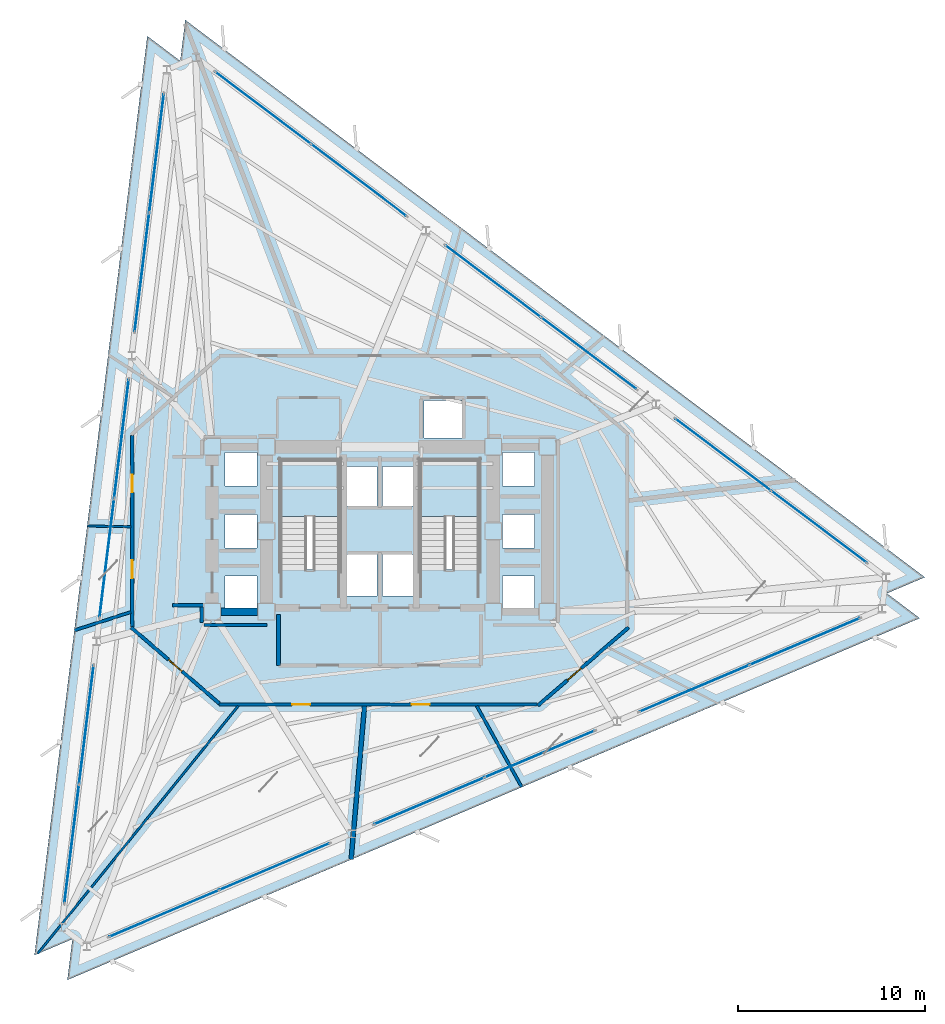
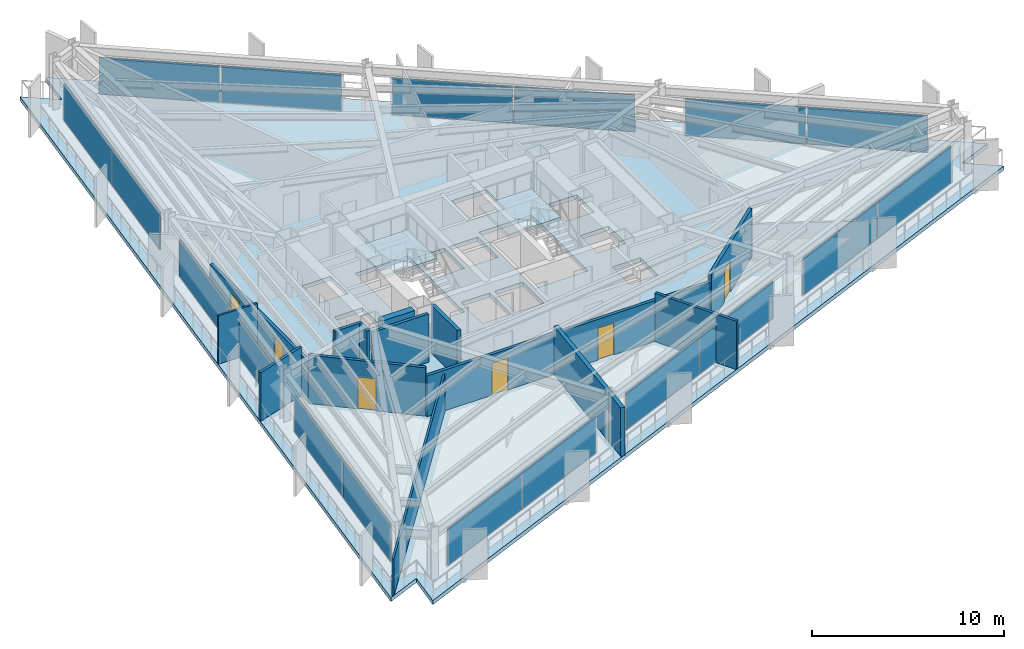
# One storey, part 6 of 13: 18 plates, 14 walls, 6 doors, 3 slabs, 6 openings, 11 elements without a shape of their own.
"""IFC4 building model written with IfcOpenShell, lengths in metres."""

from ifc_helpers import new_model, si_unit, direction, frame, frame_2d, origin, origin_2d, place, context, subcontext, project, spatial, polyline, rectangle, outline, extrude, material, layer, layer_set, type_object, element, fill, aggregate, save


model = new_model("IFC4")

# Units and contexts
model_context = context("Model", 3, precision=1e-05, world=origin(), true_north=direction((0.0, 1.0)))
body_context = subcontext(model_context, "Body", "Model", "MODEL_VIEW")
ifc_project = project(units=[si_unit("LENGTHUNIT", "METRE"), si_unit("AREAUNIT", "SQUARE_METRE"), si_unit("VOLUMEUNIT", "CUBIC_METRE"), si_unit("PLANEANGLEUNIT", "RADIAN"), si_unit("MASSUNIT", "GRAM", prefix="KILO")], contexts=[model_context])

# Site, building, storey
site_placement = place(None, origin())
site = spatial("IfcSite", under=ifc_project, at=site_placement, CompositionType="ELEMENT")
building_placement = place(site_placement, origin())
building = spatial("IfcBuilding", under=site, at=building_placement, Name="Rocaltana Carrier Exchange", CompositionType="ELEMENT")
storey_placement = place(building_placement, frame((0.0, 0.0, 66.39990234375)))
storey = spatial("IfcBuildingStorey", under=building, at=storey_placement, Name="L20", CompositionType="ELEMENT", Elevation=66.39990234375)

# Curtain wall, plates
ifc_material_1 = material(Name="Aluminium 6063-T6", Category="aluminium")
ifc_layer_1 = layer(ifc_material_1, 0.1650390625)
ifc_layer_set_1 = layer_set([ifc_layer_1], Name="Aluminium 6063-T6")
curtain_wall_type = type_object("IfcCurtainWallType", Name="Lower-Mid Stepped Curtain Wall CW-02", PredefinedType="NOTDEFINED", material=ifc_layer_set_1)
curtain_wall_1_placement = place(storey_placement, origin())
curtain_wall_1 = element("IfcCurtainWall", 1, at=curtain_wall_1_placement, inside=storey, type_object=curtain_wall_type, Name="L20 CW-02 Run CW-L20-F1S1", PredefinedType="NOTDEFINED")
ifc_material_2 = material(Name="Tempered Laminated Glass", Category="glass")
ifc_layer_2 = layer(ifc_material_2, 0.0419921875)
ifc_layer_set_2 = layer_set([ifc_layer_2], Name="Tempered Laminated Glass")
plate_type = type_object("IfcPlateType", Name="CW-02 Stone-Insulated Vision Panel", PredefinedType="CURTAIN_PANEL", material=ifc_layer_set_2)
plate_1_placement = place(storey_placement, frame((23.422607421875, 0.231201171875, 0.06494140625), z_axis=(0.0, 0.0, 1.0), x_axis=(-0.798641886792, 0.601806560833, 0.0)))
plate_1 = element("IfcPlate", 2, at=plate_1_placement, type_object=plate_type, Name="CW-02 panel 1.1", PredefinedType="CURTAIN_PANEL", context=body_context, shape_type="SweptSolid", body=[
    extrude(rectangle(XDim=6.335693359375, YDim=0.0419921875, at=origin_2d()), origin(), (0.0, 0.0, 1.0), 2.347900390625),
])
plate_2_placement = place(storey_placement, frame((18.310791015625, 4.083251953125, 0.06494140625), z_axis=(0.0, 0.0, 1.0), x_axis=(-0.798641886792, 0.601806560833, 0.0)))
plate_2 = element("IfcPlate", 3, at=plate_2_placement, type_object=plate_type, Name="CW-02 panel 2.1", PredefinedType="CURTAIN_PANEL", context=body_context, shape_type="SweptSolid", body=[
    extrude(rectangle(XDim=6.335693359375, YDim=0.0419921875, at=origin_2d()), origin(), (0.0, 0.0, 1.0), 2.347900390625),
])
aggregate(curtain_wall_1, [plate_1, plate_2])

curtain_wall_2_placement = place(storey_placement, origin())
curtain_wall_2 = element("IfcCurtainWall", 4, at=curtain_wall_2_placement, inside=storey, type_object=curtain_wall_type, Name="L20 CW-02 Run CW-L20-F1S2", PredefinedType="NOTDEFINED")
plate_3_placement = place(storey_placement, frame((11.150390625, 9.47900390625, 0.06494140625), z_axis=(0.0, 0.0, 1.0), x_axis=(-0.798635336443, 0.601815253533, 0.0)))
plate_3 = element("IfcPlate", 5, at=plate_3_placement, type_object=plate_type, Name="CW-02 panel 1.1", PredefinedType="CURTAIN_PANEL", context=body_context, shape_type="SweptSolid", body=[
    extrude(rectangle(XDim=6.335693359375, YDim=0.0419921875, at=origin_2d()), origin(), (0.0, 0.0, 1.0), 2.347900390625),
])
plate_4_placement = place(storey_placement, frame((6.038330078125, 13.3310546875, 0.06494140625), z_axis=(0.0, 0.0, 1.0), x_axis=(-0.798635336443, 0.601815253533, 0.0)))
plate_4 = element("IfcPlate", 6, at=plate_4_placement, type_object=plate_type, Name="CW-02 panel 2.1", PredefinedType="CURTAIN_PANEL", context=body_context, shape_type="SweptSolid", body=[
    extrude(rectangle(XDim=6.335693359375, YDim=0.0419921875, at=origin_2d()), origin(), (0.0, 0.0, 1.0), 2.347900390625),
])
aggregate(curtain_wall_2, [plate_3, plate_4])

curtain_wall_3_placement = place(storey_placement, origin())
curtain_wall_3 = element("IfcCurtainWall", 7, at=curtain_wall_3_placement, inside=storey, type_object=curtain_wall_type, Name="L20 CW-02 Run CW-L20-F1S3", PredefinedType="NOTDEFINED")
plate_5_placement = place(storey_placement, frame((-1.1220703125, 18.726806640625, 0.06494140625), z_axis=(0.0, 0.0, 1.0), x_axis=(-0.79863815132, 0.601811518049, 0.0)))
plate_5 = element("IfcPlate", 8, at=plate_5_placement, type_object=plate_type, Name="CW-02 panel 1.1", PredefinedType="CURTAIN_PANEL", context=body_context, shape_type="SweptSolid", body=[
    extrude(rectangle(XDim=6.3359375, YDim=0.0419921875, at=origin_2d()), origin(), (0.0, 0.0, 1.0), 2.347900390625),
])
plate_6_placement = place(storey_placement, frame((-6.23388671875, 22.5791015625, 0.06494140625), z_axis=(0.0, 0.0, 1.0), x_axis=(-0.79863815132, 0.601811518049, 0.0)))
plate_6 = element("IfcPlate", 9, at=plate_6_placement, type_object=plate_type, Name="CW-02 panel 2.1", PredefinedType="CURTAIN_PANEL", context=body_context, shape_type="SweptSolid", body=[
    extrude(rectangle(XDim=6.3359375, YDim=0.0419921875, at=origin_2d()), origin(), (0.0, 0.0, 1.0), 2.347900390625),
])
aggregate(curtain_wall_3, [plate_5, plate_6])

curtain_wall_4_placement = place(storey_placement, origin())
curtain_wall_4 = element("IfcCurtainWall", 10, at=curtain_wall_4_placement, inside=storey, type_object=curtain_wall_type, Name="L20 CW-02 Run CW-L20-F2S1", PredefinedType="NOTDEFINED")
plate_7_placement = place(storey_placement, frame((-11.91162109375, 20.169189453125, 0.06494140625), z_axis=(0.0, 0.0, 1.0), x_axis=(-0.121872630343, -0.992545748051, 0.0)))
plate_7 = element("IfcPlate", 11, at=plate_7_placement, type_object=plate_type, Name="CW-02 panel 1.1", PredefinedType="CURTAIN_PANEL", context=body_context, shape_type="SweptSolid", body=[
    extrude(rectangle(XDim=6.3359375, YDim=0.0419921875, at=origin_2d()), origin(), (0.0, 0.0, 1.0), 2.347900390625),
])
plate_8_placement = place(storey_placement, frame((-12.691650390625, 13.81591796875, 0.06494140625), z_axis=(0.0, 0.0, 1.0), x_axis=(-0.121872630343, -0.992545748051, 0.0)))
plate_8 = element("IfcPlate", 12, at=plate_8_placement, type_object=plate_type, Name="CW-02 panel 2.1", PredefinedType="CURTAIN_PANEL", context=body_context, shape_type="SweptSolid", body=[
    extrude(rectangle(XDim=6.3359375, YDim=0.0419921875, at=origin_2d()), origin(), (0.0, 0.0, 1.0), 2.347900390625),
])
aggregate(curtain_wall_4, [plate_7, plate_8])

curtain_wall_5_placement = place(storey_placement, origin())
curtain_wall_5 = element("IfcCurtainWall", 13, at=curtain_wall_5_placement, inside=storey, type_object=curtain_wall_type, Name="L20 CW-02 Run CW-L20-F2S2", PredefinedType="NOTDEFINED")
plate_9_placement = place(storey_placement, frame((-13.7841796875, 4.9169921875, 0.06494140625), z_axis=(0.0, 0.0, 1.0), x_axis=(-0.121873570472, -0.992545632614, 0.0)))
plate_9 = element("IfcPlate", 14, at=plate_9_placement, type_object=plate_type, Name="CW-02 panel 1.1", PredefinedType="CURTAIN_PANEL", context=body_context, shape_type="SweptSolid", body=[
    extrude(rectangle(XDim=6.335693359375, YDim=0.0419921875, at=origin_2d()), origin(), (0.0, 0.0, 1.0), 2.347900390625),
])
plate_10_placement = place(storey_placement, frame((-14.564208984375, -1.436279296875, 0.06494140625), z_axis=(0.0, 0.0, 1.0), x_axis=(-0.121873570472, -0.992545632614, 0.0)))
plate_10 = element("IfcPlate", 15, at=plate_10_placement, type_object=plate_type, Name="CW-02 panel 2.1", PredefinedType="CURTAIN_PANEL", context=body_context, shape_type="SweptSolid", body=[
    extrude(rectangle(XDim=6.335693359375, YDim=0.0419921875, at=origin_2d()), origin(), (0.0, 0.0, 1.0), 2.347900390625),
])
aggregate(curtain_wall_5, [plate_9, plate_10])

curtain_wall_6_placement = place(storey_placement, origin())
curtain_wall_6 = element("IfcCurtainWall", 16, at=curtain_wall_6_placement, inside=storey, type_object=curtain_wall_type, Name="L20 CW-02 Run CW-L20-F2S3", PredefinedType="NOTDEFINED")
plate_11_placement = place(storey_placement, frame((-15.656982421875, -10.335205078125, 0.06494140625), z_axis=(0.0, 0.0, 1.0), x_axis=(-0.121881227076, -0.992544692438, 0.0)))
plate_11 = element("IfcPlate", 17, at=plate_11_placement, type_object=plate_type, Name="CW-02 panel 1.1", PredefinedType="CURTAIN_PANEL", context=body_context, shape_type="SweptSolid", body=[
    extrude(rectangle(XDim=6.335693359375, YDim=0.0419921875, at=origin_2d()), origin(), (0.0, 0.0, 1.0), 2.347900390625),
])
plate_12_placement = place(storey_placement, frame((-16.43701171875, -16.688232421875, 0.06494140625), z_axis=(0.0, 0.0, 1.0), x_axis=(-0.121881227076, -0.992544692438, 0.0)))
plate_12 = element("IfcPlate", 18, at=plate_12_placement, type_object=plate_type, Name="CW-02 panel 2.1", PredefinedType="CURTAIN_PANEL", context=body_context, shape_type="SweptSolid", body=[
    extrude(rectangle(XDim=6.335693359375, YDim=0.0419921875, at=origin_2d()), origin(), (0.0, 0.0, 1.0), 2.347900390625),
])
aggregate(curtain_wall_6, [plate_11, plate_12])

curtain_wall_7_placement = place(storey_placement, origin())
curtain_wall_7 = element("IfcCurtainWall", 19, at=curtain_wall_7_placement, inside=storey, type_object=curtain_wall_type, Name="L20 CW-02 Run CW-L20-F3S1", PredefinedType="NOTDEFINED")
plate_13_placement = place(storey_placement, frame((-11.51123046875, -20.400146484375, 0.06494140625), z_axis=(0.0, 0.0, 1.0), x_axis=(0.920505895435, 0.390728673724, 0.0)))
plate_13 = element("IfcPlate", 20, at=plate_13_placement, type_object=plate_type, Name="CW-02 panel 1.1", PredefinedType="CURTAIN_PANEL", context=body_context, shape_type="SweptSolid", body=[
    extrude(rectangle(XDim=6.3359375, YDim=0.0419921875, at=origin_2d()), origin(), (0.0, 0.0, 1.0), 2.347900390625),
])
plate_14_placement = place(storey_placement, frame((-5.619140625, -17.899169921875, 0.06494140625), z_axis=(0.0, 0.0, 1.0), x_axis=(0.920505895435, 0.390728673724, 0.0)))
plate_14 = element("IfcPlate", 21, at=plate_14_placement, type_object=plate_type, Name="CW-02 panel 2.1", PredefinedType="CURTAIN_PANEL", context=body_context, shape_type="SweptSolid", body=[
    extrude(rectangle(XDim=6.3359375, YDim=0.0419921875, at=origin_2d()), origin(), (0.0, 0.0, 1.0), 2.347900390625),
])
aggregate(curtain_wall_7, [plate_13, plate_14])

curtain_wall_8_placement = place(storey_placement, origin())
curtain_wall_8 = element("IfcCurtainWall", 22, at=curtain_wall_8_placement, inside=storey, type_object=curtain_wall_type, Name="L20 CW-02 Run CW-L20-F3S2", PredefinedType="NOTDEFINED")
plate_15_placement = place(storey_placement, frame((2.634033203125, -14.39599609375, 0.06494140625), z_axis=(0.0, 0.0, 1.0), x_axis=(0.920505895435, 0.390728673724, 0.0)))
plate_15 = element("IfcPlate", 23, at=plate_15_placement, type_object=plate_type, Name="CW-02 panel 1.1", PredefinedType="CURTAIN_PANEL", context=body_context, shape_type="SweptSolid", body=[
    extrude(rectangle(XDim=6.3359375, YDim=0.0419921875, at=origin_2d()), origin(), (0.0, 0.0, 1.0), 2.347900390625),
])
plate_16_placement = place(storey_placement, frame((8.52587890625, -11.89501953125, 0.06494140625), z_axis=(0.0, 0.0, 1.0), x_axis=(0.920505895435, 0.390728673724, 0.0)))
plate_16 = element("IfcPlate", 24, at=plate_16_placement, type_object=plate_type, Name="CW-02 panel 2.1", PredefinedType="CURTAIN_PANEL", context=body_context, shape_type="SweptSolid", body=[
    extrude(rectangle(XDim=6.3359375, YDim=0.0419921875, at=origin_2d()), origin(), (0.0, 0.0, 1.0), 2.347900390625),
])
aggregate(curtain_wall_8, [plate_15, plate_16])

curtain_wall_9_placement = place(storey_placement, origin())
curtain_wall_9 = element("IfcCurtainWall", 25, at=curtain_wall_9_placement, inside=storey, type_object=curtain_wall_type, Name="L20 CW-02 Run CW-L20-F3S3", PredefinedType="NOTDEFINED")
plate_17_placement = place(storey_placement, frame((16.779052734375, -8.391845703125, 0.06494140625), z_axis=(0.0, 0.0, 1.0), x_axis=(0.920503100084, 0.390735259141, 0.0)))
plate_17 = element("IfcPlate", 26, at=plate_17_placement, type_object=plate_type, Name="CW-02 panel 1.1", PredefinedType="CURTAIN_PANEL", context=body_context, shape_type="SweptSolid", body=[
    extrude(rectangle(XDim=6.3359375, YDim=0.0419921875, at=origin_2d()), origin(), (0.0, 0.0, 1.0), 2.347900390625),
])
plate_18_placement = place(storey_placement, frame((22.671142578125, -5.890625, 0.06494140625), z_axis=(0.0, 0.0, 1.0), x_axis=(0.920503100084, 0.390735259141, 0.0)))
plate_18 = element("IfcPlate", 27, at=plate_18_placement, type_object=plate_type, Name="CW-02 panel 2.1", PredefinedType="CURTAIN_PANEL", context=body_context, shape_type="SweptSolid", body=[
    extrude(rectangle(XDim=6.3359375, YDim=0.0419921875, at=origin_2d()), origin(), (0.0, 0.0, 1.0), 2.347900390625),
])
aggregate(curtain_wall_9, [plate_17, plate_18])

# Slab
ifc_material_3 = material(Name="Concrete C60/75", Category="concrete")
ifc_layer_3 = layer(ifc_material_3, 0.260009765625)
ifc_layer_set_3 = layer_set([ifc_layer_3], Name="Concrete C60/75")
slab_type_1 = type_object("IfcSlabType", Name="Low-Zone Tower Slab 260", PredefinedType="FLOOR", material=ifc_layer_set_3)
slab_1_placement = place(storey_placement, frame((0.0, 0.0, -0.260009765625)))
element("IfcSlab", 28, at=slab_1_placement, inside=storey, type_object=slab_type_1, Name="L20 Structural Floor Slab", PredefinedType="FLOOR", context=body_context, shape_type="SweptSolid", body=[
    extrude(outline(polyline([(28.8046875, -4.64501953125), (27.0478515625, -3.321044921875), (29.072998046875, -2.46142578125), (-10.379638671875, 27.268310546875), (-10.647705078125, 25.084716796875), (-12.40478515625, 26.40869140625), (-18.425048828125, -22.623291015625), (-16.39990234375, -21.763671875), (-16.668212890625, -23.947265625), (28.8046875, -4.64501953125)]), holes=[polyline([(-5.300048828125, -2.06005859375), (-2.139892578125, -2.06005859375), (-2.139892578125, 3.800048828125), (-5.300048828125, 3.800048828125), (-5.300048828125, -2.06005859375)]), polyline([(2.139892578125, -2.06005859375), (5.300048828125, -2.06005859375), (5.300048828125, 3.800048828125), (2.139892578125, 3.800048828125), (2.139892578125, -2.06005859375)]), polyline([(-1.85009765625, -3.449951171875), (-0.14990234375, -3.449951171875), (-0.14990234375, -1.25), (-1.85009765625, -1.25), (-1.85009765625, -3.449951171875)]), polyline([(0.14990234375, -3.449951171875), (1.85009765625, -3.449951171875), (1.85009765625, -1.25), (0.14990234375, -1.25), (0.14990234375, -3.449951171875)]), polyline([(2.35009765625, 4.97998046875), (4.39990234375, 4.97998046875), (4.39990234375, 6.97998046875), (2.35009765625, 6.97998046875), (2.35009765625, 4.97998046875)]), polyline([(-1.85009765625, 1.35009765625), (-0.14990234375, 1.35009765625), (-0.14990234375, 3.449951171875), (-1.85009765625, 3.449951171875), (-1.85009765625, 1.35009765625)]), polyline([(0.14990234375, 1.35009765625), (1.85009765625, 1.35009765625), (1.85009765625, 3.449951171875), (0.14990234375, 3.449951171875), (0.14990234375, 1.35009765625)]), polyline([(-8.25, -4.199951171875), (-6.550048828125, -4.199951171875), (-6.550048828125, -2.39990234375), (-8.25, -2.39990234375), (-8.25, -4.199951171875)]), polyline([(-8.25, -0.89990234375), (-6.550048828125, -0.89990234375), (-6.550048828125, 0.89990234375), (-8.25, 0.89990234375), (-8.25, -0.89990234375)]), polyline([(-8.25, 2.39990234375), (-6.550048828125, 2.39990234375), (-6.550048828125, 4.199951171875), (-8.25, 4.199951171875), (-8.25, 2.39990234375)]), polyline([(6.550048828125, -4.199951171875), (8.25, -4.199951171875), (8.25, -2.39990234375), (6.550048828125, -2.39990234375), (6.550048828125, -4.199951171875)]), polyline([(6.550048828125, -0.89990234375), (8.25, -0.89990234375), (8.25, 0.89990234375), (6.550048828125, 0.89990234375), (6.550048828125, -0.89990234375)]), polyline([(6.550048828125, 2.39990234375), (8.25, 2.39990234375), (8.25, 4.199951171875), (6.550048828125, 4.199951171875), (6.550048828125, 2.39990234375)])]), origin(), (0.0, 0.0, 1.0), 0.260009765625),
])

# Stair, slab
ifc_material_4 = material(Name="Precast concrete C45/55", Category="concrete")
stair_type = type_object("IfcStairType", Name="Standard Dog-Leg Stair 160", PredefinedType="HALF_TURN_STAIR", material=ifc_material_4)
stair_1_placement = place(storey_placement, origin())
stair_1 = element("IfcStair", 29, at=stair_1_placement, inside=storey, type_object=stair_type, Name="L20 Core West Exit Stair ST-1", PredefinedType="HALF_TURN_STAIR")
ifc_material_5 = material(Name="Precast concrete C45/55", Category="concrete")
ifc_layer_4 = layer(ifc_material_5, 0.199951171875)
ifc_layer_set_4 = layer_set([ifc_layer_4], Name="Precast concrete C45/55")
slab_type_2 = type_object("IfcSlabType", Name="Precast Stair Half-Landing 200", PredefinedType="LANDING", material=ifc_layer_set_4)
slab_2_placement = place(storey_placement, frame((0.0, 0.0, 1.47998046875)))
slab_2 = element("IfcSlab", 30, at=slab_2_placement, type_object=slab_type_2, Name="ST-1 landing 1", PredefinedType="LANDING", context=body_context, shape_type="SweptSolid", body=[
    extrude(outline(polyline([(-2.139892578125, 0.780029296875), (-2.139892578125, 3.800048828125), (-5.300048828125, 3.800048828125), (-5.300048828125, 0.780029296875), (-2.139892578125, 0.780029296875)])), origin(), (0.0, 0.0, 1.0), 0.2001953125),
])
aggregate(stair_1, [slab_2])

stair_2_placement = place(storey_placement, origin())
stair_2 = element("IfcStair", 31, at=stair_2_placement, inside=storey, type_object=stair_type, Name="L20 Core East Exit Stair ST-2", PredefinedType="HALF_TURN_STAIR")
slab_3_placement = place(storey_placement, frame((0.0, 0.0, 1.47998046875)))
slab_3 = element("IfcSlab", 32, at=slab_3_placement, type_object=slab_type_2, Name="ST-2 landing 1", PredefinedType="LANDING", context=body_context, shape_type="SweptSolid", body=[
    extrude(outline(polyline([(5.300048828125, 0.780029296875), (5.300048828125, 3.800048828125), (2.139892578125, 3.800048828125), (2.139892578125, 0.780029296875), (5.300048828125, 0.780029296875)])), origin(), (0.0, 0.0, 1.0), 0.2001953125),
])
aggregate(stair_2, [slab_3])

# Walls
ifc_material_6 = material(Name="Double Acoustic Gypsum Partition", Category="gypsum")
ifc_layer_5 = layer(ifc_material_6, 0.159912109375)
ifc_layer_set_5 = layer_set([ifc_layer_5], Name="Double Acoustic Gypsum Partition")
wall_type_1 = type_object("IfcWallType", Name="Acoustic Studio Partition 160 EI60", PredefinedType="PARTITIONING", material=ifc_layer_set_5)
wall_1_placement = place(storey_placement, frame((-13.280029296875, -4.31494140625, 0.0), z_axis=(0.0, 0.0, 1.0), x_axis=(-0.951057330934, -0.309014487164, 0.0)))
element("IfcWall", 33, at=wall_1_placement, inside=storey, type_object=wall_type_1, Name="L20 Suite Divider Wall D1", PredefinedType="PARTITIONING", context=body_context, shape_type="SweptSolid", body=[
    extrude(rectangle(XDim=3.161865234375, YDim=0.159912109375, at=frame_2d((1.5810546875, 0.0))), origin(), (0.0, 0.0, 1.0), 3.072998046875),
])
wall_2_placement = place(storey_placement, frame((5.171630859375, -9.330078125, 0.0), z_axis=(0.0, 0.0, 1.0), x_axis=(0.484815832005, -0.874616263876, 0.0)))
element("IfcWall", 34, at=wall_2_placement, inside=storey, type_object=wall_type_1, Name="L20 Suite Divider Wall D4", PredefinedType="PARTITIONING", context=body_context, shape_type="SweptSolid", body=[
    extrude(rectangle(XDim=4.9384765625, YDim=0.159912109375, at=frame_2d((2.46923828125, 0.0))), origin(), (0.0, 0.0, 1.0), 3.072998046875),
])
ifc_material_7 = material(Name="Concrete C50/60", Category="concrete")
ifc_layer_6 = layer(ifc_material_7, 0.39990234375)
ifc_layer_set_6 = layer_set([ifc_layer_6], Name="Concrete C50/60")
wall_type_2 = type_object("IfcWallType", Name="Core Internal Shear Wall 400", PredefinedType="SHEAR", material=ifc_layer_set_6)
wall_3_placement = place(storey_placement, frame((-8.47509765625, -4.300048828125, 0.0), z_axis=(0.0, 0.0, 1.0), x_axis=(1.0, 0.0, 0.0)))
element("IfcWall", 35, at=wall_3_placement, inside=storey, type_object=wall_type_2, Name="L20 Core Shear Wall CW-WWS", PredefinedType="SHEAR", context=body_context, shape_type="SweptSolid", body=[
    extrude(rectangle(XDim=1.9501953125, YDim=0.39990234375, at=frame_2d((0.97509765625, 0.0))), origin(), (0.0, 0.0, 1.0), 3.09814453125),
])

# Wall, opening, door
ifc_material_8 = material(Name="Gypsum & Steel Stud Partition", Category="steel")
ifc_layer_7 = layer(ifc_material_8, 0.179931640625)
ifc_layer_set_7 = layer_set([ifc_layer_7], Name="Gypsum & Steel Stud Partition")
wall_type_3 = type_object("IfcWallType", Name="Corridor Fire Partition 180 EI60", PredefinedType="PARTITIONING", material=ifc_layer_set_7)
wall_4_placement = place(storey_placement, frame((13.268310546875, -5.14111328125, 0.0), z_axis=(0.0, 0.0, 1.0), x_axis=(-0.757534501725, -0.65279512766, 0.0)))
wall_4 = element("IfcWall", 36, at=wall_4_placement, inside=storey, type_object=wall_type_3, Name="L20 Corridor Partition 4", PredefinedType="PARTITIONING", context=body_context, shape_type="SweptSolid", body=[
    extrude(rectangle(XDim=6.384521484375, YDim=0.179931640625, at=frame_2d((3.1923828125, 0.0))), origin(), (0.0, 0.0, 1.0), 3.072998046875),
])
opening_1_placement = place(wall_4_placement, frame((3.345703125, 0.0, 0.0)))
opening_1 = element("IfcOpeningElement", 37, at=opening_1_placement, cuts=wall_4, Name="Opening D-RM098", PredefinedType="OPENING", context=body_context, shape_type="SweptSolid", body=[
    extrude(rectangle(XDim=0.9599609375, YDim=2.02001953125, at=frame_2d((0.47998046875, 1.010009765625))), frame((0.0, 0.099853515625, 0.0), z_axis=(0.0, -1.0, 0.0), x_axis=(1.0, 0.0, 0.0)), (0.0, 0.0, 1.0), 0.199951171875),
])
ifc_material_9 = material(Name="Engineered Hardwood Timber", Category="wood")
door_type = type_object("IfcDoorType", Name="Workspace Single Door 960x2020", OperationType="NOTDEFINED", PredefinedType="DOOR", material=ifc_material_9)
door_1_placement = place(opening_1_placement, origin())
door_1 = element("IfcDoor", 38, at=door_1_placement, inside=storey, type_object=door_type, Name="L20 Peering Conference Room Entrance Door", OperationType="SINGLE_SWING_LEFT", OverallHeight=2.02001953125, OverallWidth=0.9599609375, PredefinedType="DOOR", context=body_context, shape_type="SweptSolid", body=[
    extrude(rectangle(XDim=0.9599609375, YDim=2.02001953125, at=frame_2d((0.47998046875, 1.010009765625))), frame((0.0, 0.02490234375, 0.0), z_axis=(0.0, -1.0, 0.0), x_axis=(1.0, 0.0, 0.0)), (0.0, 0.0, 1.0), 0.050048828125),
])
fill(opening_1, door_1)

# Wall, openings, doors
wall_5_placement = place(storey_placement, frame((8.409912109375, -9.25, 0.0), z_axis=(0.0, 0.0, 1.0), x_axis=(-1.0, 0.0, 0.0)))
wall_5 = element("IfcWall", 39, at=wall_5_placement, inside=storey, type_object=wall_type_3, Name="L20 Corridor Partition 5", PredefinedType="PARTITIONING", context=body_context, shape_type="SweptSolid", body=[
    extrude(rectangle(XDim=17.0, YDim=0.179931640625, at=frame_2d((8.5, 0.0))), origin(), (0.0, 0.0, 1.0), 2.587158203125),
])
opening_2_placement = place(wall_5_placement, frame((12.126953125, 0.0, 0.0)))
opening_2 = element("IfcOpeningElement", 40, at=opening_2_placement, cuts=wall_5, Name="Opening D-RM098", PredefinedType="OPENING", context=body_context, shape_type="SweptSolid", body=[
    extrude(rectangle(XDim=0.9599609375, YDim=2.02001953125, at=frame_2d((0.47998046875, 1.010009765625))), frame((0.0, 0.099853515625, 0.0), z_axis=(0.0, -1.0, 0.0), x_axis=(1.0, 0.0, 0.0)), (0.0, 0.0, 1.0), 0.199951171875),
])
opening_3_placement = place(wall_5_placement, frame((5.75, 0.0, 0.0)))
opening_3 = element("IfcOpeningElement", 41, at=opening_3_placement, cuts=wall_5, Name="Opening D-RM098", PredefinedType="OPENING", context=body_context, shape_type="SweptSolid", body=[
    extrude(rectangle(XDim=0.9599609375, YDim=2.02001953125, at=frame_2d((0.47998046875, 1.010009765625))), frame((0.0, 0.099853515625, 0.0), z_axis=(0.0, -1.0, 0.0), x_axis=(1.0, 0.0, 0.0)), (0.0, 0.0, 1.0), 0.199951171875),
])
door_2_placement = place(opening_2_placement, origin())
door_2 = element("IfcDoor", 42, at=door_2_placement, inside=storey, type_object=door_type, Name="L20 Client Reception Foyer Entrance Door", OperationType="SINGLE_SWING_LEFT", OverallHeight=2.02001953125, OverallWidth=0.9599609375, PredefinedType="DOOR", context=body_context, shape_type="SweptSolid", body=[
    extrude(rectangle(XDim=0.9599609375, YDim=2.02001953125, at=frame_2d((0.47998046875, 1.010009765625))), frame((0.0, 0.02490234375, 0.0), z_axis=(0.0, -1.0, 0.0), x_axis=(1.0, 0.0, 0.0)), (0.0, 0.0, 1.0), 0.050048828125),
])
fill(opening_2, door_2)
door_3_placement = place(opening_3_placement, origin())
door_3 = element("IfcDoor", 43, at=door_3_placement, inside=storey, type_object=door_type, Name="L20 Cloud Architecture Office Entrance Door", OperationType="SINGLE_SWING_RIGHT", OverallHeight=2.02001953125, OverallWidth=0.9599609375, PredefinedType="DOOR", context=body_context, shape_type="SweptSolid", body=[
    extrude(rectangle(XDim=0.9599609375, YDim=2.02001953125, at=frame_2d((0.47998046875, 1.010009765625))), frame((0.0, 0.02490234375, 0.0), z_axis=(0.0, -1.0, 0.0), x_axis=(1.0, 0.0, 0.0)), (0.0, 0.0, 1.0), 0.050048828125),
])
fill(opening_3, door_3)

# Wall, opening, door
wall_6_placement = place(storey_placement, frame((-8.568115234375, -9.191162109375, 0.0), z_axis=(0.0, 0.0, 1.0), x_axis=(-0.757556899173, 0.652769135694, 0.0)))
wall_6 = element("IfcWall", 44, at=wall_6_placement, inside=storey, type_object=wall_type_3, Name="L20 Corridor Partition 6", PredefinedType="PARTITIONING", context=body_context, shape_type="SweptSolid", body=[
    extrude(rectangle(XDim=6.204345703125, YDim=0.179931640625, at=frame_2d((3.10205078125, 0.0))), origin(), (0.0, 0.0, 1.0), 3.072998046875),
])
opening_4_placement = place(wall_6_placement, frame((2.6220703125, 0.0, 0.0)))
opening_4 = element("IfcOpeningElement", 45, at=opening_4_placement, cuts=wall_6, Name="Opening D-RM098", PredefinedType="OPENING", context=body_context, shape_type="SweptSolid", body=[
    extrude(rectangle(XDim=0.9599609375, YDim=2.02001953125, at=frame_2d((0.47998046875, 1.010009765625))), frame((0.0, 0.099853515625, 0.0), z_axis=(0.0, -1.0, 0.0), x_axis=(1.0, 0.0, 0.0)), (0.0, 0.0, 1.0), 0.199951171875),
])
door_4_placement = place(opening_4_placement, origin())
door_4 = element("IfcDoor", 46, at=door_4_placement, inside=storey, type_object=door_type, Name="L20 Staff Break Pantry Entrance Door", OperationType="SINGLE_SWING_RIGHT", OverallHeight=2.02001953125, OverallWidth=0.9599609375, PredefinedType="DOOR", context=body_context, shape_type="SweptSolid", body=[
    extrude(rectangle(XDim=0.9599609375, YDim=2.02001953125, at=frame_2d((0.47998046875, 1.010009765625))), frame((0.0, 0.02490234375, 0.0), z_axis=(0.0, -1.0, 0.0), x_axis=(1.0, 0.0, 0.0)), (0.0, 0.0, 1.0), 0.050048828125),
])
fill(opening_4, door_4)

# Wall, openings, doors
wall_7_placement = place(storey_placement, frame((-13.199951171875, -5.110107421875, 0.0), z_axis=(0.0, 0.0, 1.0), x_axis=(0.0, 1.0, 0.0)))
wall_7 = element("IfcWall", 47, at=wall_7_placement, inside=storey, type_object=wall_type_3, Name="L20 Corridor Partition 7", PredefinedType="PARTITIONING", context=body_context, shape_type="SweptSolid", body=[
    extrude(rectangle(XDim=10.22021484375, YDim=0.179931640625, at=frame_2d((5.110107421875, 0.0))), origin(), (0.0, 0.0, 1.0), 2.587158203125),
])
opening_5_placement = place(wall_7_placement, frame((2.589599609375, 0.0, 0.0)))
opening_5 = element("IfcOpeningElement", 48, at=opening_5_placement, cuts=wall_7, Name="Opening D-RM098", PredefinedType="OPENING", context=body_context, shape_type="SweptSolid", body=[
    extrude(rectangle(XDim=0.9599609375, YDim=2.02001953125, at=frame_2d((0.47998046875, 1.010009765625))), frame((0.0, 0.099853515625, 0.0), z_axis=(0.0, -1.0, 0.0), x_axis=(1.0, 0.0, 0.0)), (0.0, 0.0, 1.0), 0.199951171875),
])
opening_6_placement = place(wall_7_placement, frame((7.1708984375, 0.0, 0.0)))
opening_6 = element("IfcOpeningElement", 49, at=opening_6_placement, cuts=wall_7, Name="Opening D-RM098", PredefinedType="OPENING", context=body_context, shape_type="SweptSolid", body=[
    extrude(rectangle(XDim=0.9599609375, YDim=2.02001953125, at=frame_2d((0.47998046875, 1.010009765625))), frame((0.0, 0.099853515625, 0.0), z_axis=(0.0, -1.0, 0.0), x_axis=(1.0, 0.0, 0.0)), (0.0, 0.0, 1.0), 0.199951171875),
])
door_5_placement = place(opening_5_placement, origin())
door_5 = element("IfcDoor", 50, at=door_5_placement, inside=storey, type_object=door_type, Name="L20 Client Reception Foyer Entrance Door", OperationType="SINGLE_SWING_LEFT", OverallHeight=2.02001953125, OverallWidth=0.9599609375, PredefinedType="DOOR", context=body_context, shape_type="SweptSolid", body=[
    extrude(rectangle(XDim=0.9599609375, YDim=2.02001953125, at=frame_2d((0.47998046875, 1.010009765625))), frame((0.0, 0.02490234375, 0.0), z_axis=(0.0, -1.0, 0.0), x_axis=(1.0, 0.0, 0.0)), (0.0, 0.0, 1.0), 0.050048828125),
])
fill(opening_5, door_5)
door_6_placement = place(opening_6_placement, origin())
door_6 = element("IfcDoor", 51, at=door_6_placement, inside=storey, type_object=door_type, Name="L20 Client Reception Foyer Entrance Door", OperationType="SINGLE_SWING_LEFT", OverallHeight=2.02001953125, OverallWidth=0.9599609375, PredefinedType="DOOR", context=body_context, shape_type="SweptSolid", body=[
    extrude(rectangle(XDim=0.9599609375, YDim=2.02001953125, at=frame_2d((0.47998046875, 1.010009765625))), frame((0.0, 0.02490234375, 0.0), z_axis=(0.0, -1.0, 0.0), x_axis=(1.0, 0.0, 0.0)), (0.0, 0.0, 1.0), 0.050048828125),
])
fill(opening_6, door_6)

# Walls
wall_8_placement = place(storey_placement, frame((-11.070068359375, -3.9599609375, 0.0), z_axis=(0.0, 0.0, 1.0), x_axis=(1.0, 0.0, 0.0)))
element("IfcWall", 52, at=wall_8_placement, inside=storey, type_object=wall_type_3, Name="L20 Corridor Partition 11", PredefinedType="PARTITIONING", context=body_context, shape_type="SweptSolid", body=[
    extrude(rectangle(XDim=1.650146484375, YDim=0.179931640625, at=frame_2d((0.8251953125, 0.0))), origin(), (0.0, 0.0, 1.0), 3.072998046875),
])
wall_9_placement = place(storey_placement, frame((-9.510009765625, -4.050048828125, 0.0), z_axis=(0.0, 0.0, 1.0), x_axis=(0.0, -1.0, 0.0)))
element("IfcWall", 53, at=wall_9_placement, inside=storey, type_object=wall_type_3, Name="L20 Corridor Partition 12", PredefinedType="PARTITIONING", context=body_context, shape_type="SweptSolid", body=[
    extrude(rectangle(XDim=0.820068359375, YDim=0.179931640625, at=frame_2d((0.41015625, 0.0))), origin(), (0.0, 0.0, 1.0), 3.072998046875),
])
wall_10_placement = place(storey_placement, frame((-9.3701171875, -5.010009765625, 0.0), z_axis=(0.0, 0.0, 1.0), x_axis=(1.0, 0.0, 0.0)))
element("IfcWall", 54, at=wall_10_placement, inside=storey, type_object=wall_type_3, Name="L20 Corridor Partition 13", PredefinedType="PARTITIONING", context=body_context, shape_type="SweptSolid", body=[
    extrude(rectangle(XDim=3.340087890625, YDim=0.179931640625, at=frame_2d((1.669921875, 0.0))), origin(), (0.0, 0.0, 1.0), 3.072998046875),
])
ifc_material_10 = material(Name="Aluminium 6063-T6 & Acoustic Glass", Category="aluminium")
ifc_layer_8 = layer(ifc_material_10, 0.114990234375)
ifc_layer_set_8 = layer_set([ifc_layer_8], Name="Aluminium 6063-T6 & Acoustic Glass")
wall_type_4 = type_object("IfcWallType", Name="Demountable Glazed Lab Partition 115", PredefinedType="MOVABLE", material=ifc_layer_set_8)
wall_11_placement = place(storey_placement, frame((-7.555419921875, -9.330078125, 0.0), z_axis=(0.0, 0.0, 1.0), x_axis=(-0.629320948329, -0.777145510181, 0.0)))
element("IfcWall", 55, at=wall_11_placement, inside=storey, type_object=wall_type_4, Name="L20 Suite Divider Wall D2", PredefinedType="MOVABLE", context=body_context, shape_type="SweptSolid", body=[
    extrude(rectangle(XDim=16.99609375, YDim=0.114990234375, at=frame_2d((8.498046875, 0.0))), origin(), (0.0, 0.0, 1.0), 2.358154296875),
])
wall_12_placement = place(storey_placement, frame((-13.280029296875, 0.231689453125, 0.0), z_axis=(0.0, 0.0, 1.0), x_axis=(-0.999846109686, 0.017543002765, 0.0)))
element("IfcWall", 56, at=wall_12_placement, inside=storey, type_object=wall_type_4, Name="L20 Suite Divider Wall D11", PredefinedType="MOVABLE", context=body_context, shape_type="SweptSolid", body=[
    extrude(rectangle(XDim=2.323974609375, YDim=0.114990234375, at=frame_2d((1.162109375, 0.0))), origin(), (0.0, 0.0, 1.0), 3.072998046875),
])
ifc_material_11 = material(Name="Autoclaved Aerated Concrete C30/37", Category="concrete")
ifc_layer_9 = layer(ifc_material_11, 0.219970703125)
ifc_layer_set_9 = layer_set([ifc_layer_9], Name="Autoclaved Aerated Concrete C30/37")
wall_type_5 = type_object("IfcWallType", Name="Firefighting Lobby Wall 220 EI120", PredefinedType="PARTITIONING", material=ifc_layer_set_9)
wall_13_placement = place(storey_placement, frame((-5.39990234375, -7.159912109375, 0.0), z_axis=(0.0, 0.0, 1.0), x_axis=(0.0, 1.0, 0.0)))
element("IfcWall", 57, at=wall_13_placement, inside=storey, type_object=wall_type_5, Name="L20 FFL Lobby 1 West Wall", PredefinedType="PARTITIONING", context=body_context, shape_type="SweptSolid", body=[
    extrude(rectangle(XDim=2.7099609375, YDim=0.219970703125, at=frame_2d((1.35498046875, 0.0))), origin(), (0.0, 0.0, 1.0), 3.072998046875),
])
ifc_material_12 = material(Name="Acoustic Calcium Silicate Partition", Category="gypsum")
ifc_layer_10 = layer(ifc_material_12, 0.239990234375)
ifc_layer_set_10 = layer_set([ifc_layer_10], Name="Acoustic Calcium Silicate Partition")
wall_type_6 = type_object("IfcWallType", Name="Heavy Lab Partition 240 EI90", PredefinedType="PARTITIONING", material=ifc_layer_set_10)
wall_14_placement = place(storey_placement, frame((-0.81640625, -9.330078125, 0.0), z_axis=(0.0, 0.0, 1.0), x_axis=(-0.087131179551, -0.996196846788, 0.0)))
element("IfcWall", 58, at=wall_14_placement, inside=storey, type_object=wall_type_6, Name="L20 Suite Divider Wall D3", PredefinedType="PARTITIONING", context=body_context, shape_type="SweptSolid", body=[
    extrude(rectangle(XDim=8.212646484375, YDim=0.239990234375, at=frame_2d((4.1064453125, 0.0))), origin(), (0.0, 0.0, 1.0), 3.072998046875),
])

save(model, "model.ifc")
